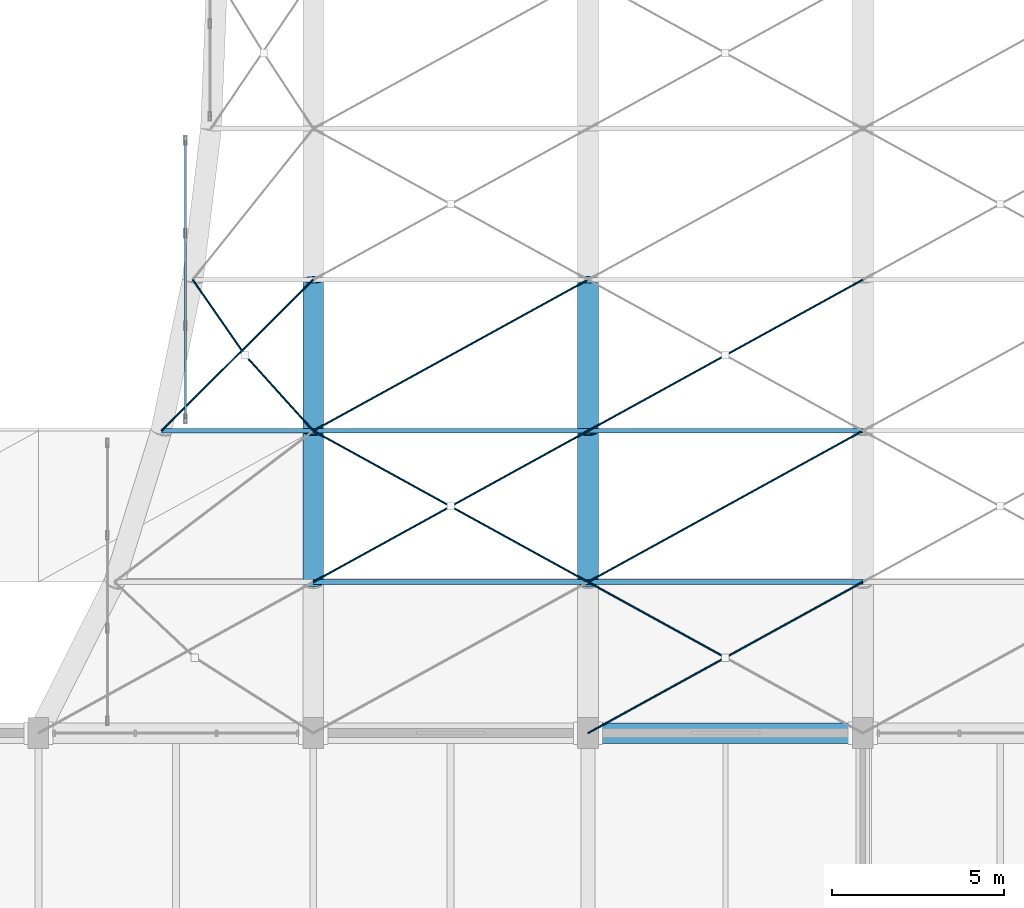
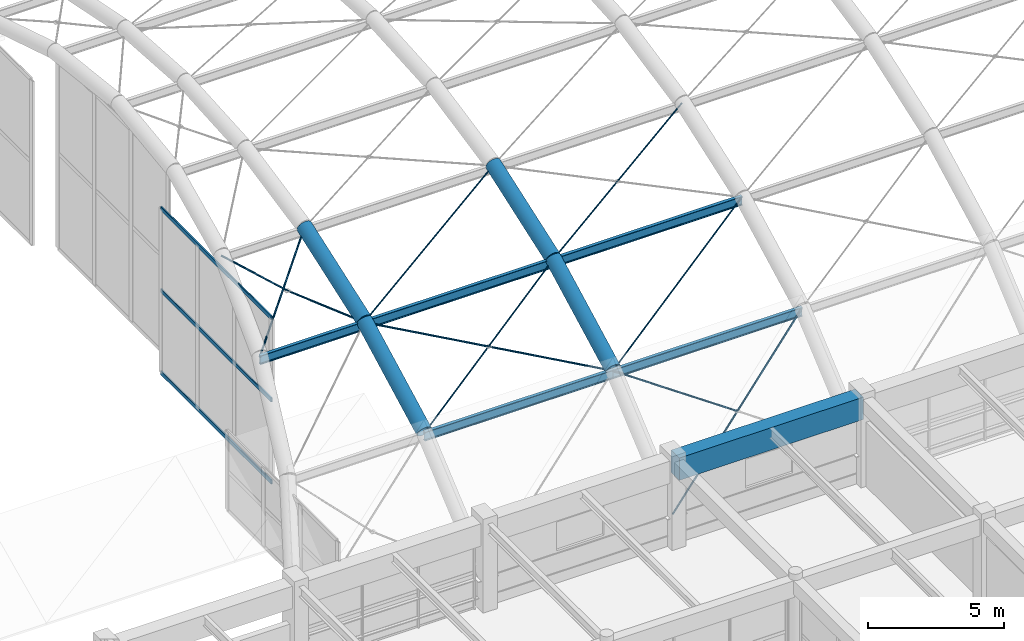
# One storey, part 36 of 126: 14 members, 10 beams, 1 element without a shape of its own.
"""IFC4 building model written with IfcOpenShell, lengths in metres."""

from ifc_helpers import new_model, si_unit, direction, frame, origin, origin_2d, place, context, subcontext, project, spatial, rectangle, hollow_rectangle, circle, hollow_circle, i_section, extrude, material, material_profile, profile_set, type_object, element, aggregate, save


model = new_model("IFC4")

# Units and contexts
model_context = context("Model", 3, precision=1e-05, world=origin(), true_north=direction((0.0, 1.0)))
body_context = subcontext(model_context, "Body", "Model", "MODEL_VIEW")
ifc_project = project(units=[si_unit("LENGTHUNIT", "METRE"), si_unit("AREAUNIT", "SQUARE_METRE"), si_unit("VOLUMEUNIT", "CUBIC_METRE"), si_unit("PLANEANGLEUNIT", "RADIAN"), si_unit("MASSUNIT", "GRAM", prefix="KILO")], contexts=[model_context])

# Site, building, storey
site_placement = place(None, origin())
site = spatial("IfcSite", under=ifc_project, at=site_placement, CompositionType="ELEMENT")
building_placement = place(site_placement, origin())
building = spatial("IfcBuilding", under=site, at=building_placement, Name="Varnabhumi Central Station", CompositionType="ELEMENT")
storey_placement = place(building_placement, frame((0.0, 0.0, 16.199951171875)))
storey = spatial("IfcBuildingStorey", under=building, at=storey_placement, Name="L03", CompositionType="ELEMENT", Elevation=16.199951171875)

# Beams
ifc_material_1 = material(Name="Structural steel E450", Category="steel")
ifc_material_profile_1 = material_profile(ifc_material_1, hollow_circle(Radius=0.304931640625, WallThickness=0.02490234375, at=origin_2d()), Name="Structural steel E450", Category="steel")
ifc_profile_set_1 = profile_set([ifc_material_profile_1], Name="Structural steel E450")
beam_type_1 = type_object("IfcBeamType", Name="BM-ARCH-CHS610", PredefinedType="BEAM", material=ifc_profile_set_1)
beam_1_placement = place(storey_placement, frame((136.0, 40.39990234375, 5.0966796875), z_axis=(0.0, 0.88562177592, 0.464407224337), x_axis=(-1.0, 0.0, 0.0)))
element("IfcBeam", 1, at=beam_1_placement, inside=storey, type_object=beam_type_1, Name="Platform Train-Shed Vault Arch Rib 2 Seg 2", PredefinedType="BEAM", context=body_context, shape_type="SweptSolid", body=[
    extrude(hollow_circle(Radius=0.304931640625, WallThickness=0.02490234375, at=origin_2d()), origin(), (0.0, 0.0, 1.0), 4.968505859375),
])
beam_2_placement = place(storey_placement, frame((136.0, 44.800048828125, 7.404052734375), z_axis=(0.0, 0.943395522007, 0.331669849486), x_axis=(-1.0, 0.0, 0.0)))
element("IfcBeam", 2, at=beam_2_placement, inside=storey, type_object=beam_type_1, Name="Platform Train-Shed Vault Arch Rib 2 Seg 3", PredefinedType="BEAM", context=body_context, shape_type="SweptSolid", body=[
    extrude(hollow_circle(Radius=0.304931640625, WallThickness=0.02490234375, at=origin_2d()), origin(), (0.0, 0.0, 1.0), 4.663818359375),
])
beam_3_placement = place(storey_placement, frame((144.0, 40.39990234375, 5.0966796875), z_axis=(0.0, 0.88562177592, 0.464407224337), x_axis=(-1.0, 0.0, 0.0)))
element("IfcBeam", 3, at=beam_3_placement, inside=storey, type_object=beam_type_1, Name="Platform Train-Shed Vault Arch Rib 3 Seg 2", PredefinedType="BEAM", context=body_context, shape_type="SweptSolid", body=[
    extrude(hollow_circle(Radius=0.304931640625, WallThickness=0.02490234375, at=origin_2d()), origin(), (0.0, 0.0, 1.0), 4.968505859375),
])
beam_4_placement = place(storey_placement, frame((144.0, 44.800048828125, 7.404052734375), z_axis=(0.0, 0.943395522007, 0.331669849486), x_axis=(-1.0, 0.0, 0.0)))
element("IfcBeam", 4, at=beam_4_placement, inside=storey, type_object=beam_type_1, Name="Platform Train-Shed Vault Arch Rib 3 Seg 3", PredefinedType="BEAM", context=body_context, shape_type="SweptSolid", body=[
    extrude(hollow_circle(Radius=0.304931640625, WallThickness=0.02490234375, at=origin_2d()), origin(), (0.0, 0.0, 1.0), 4.663818359375),
])
ifc_material_2 = material(Name="Structural steel E350", Category="steel")
ifc_material_profile_2 = material_profile(ifc_material_2, i_section(OverallWidth=0.139892578125, OverallDepth=0.39990234375, WebThickness=0.0087890625, FlangeThickness=0.01611328125, FilletRadius=0.013916015625, at=origin_2d()), Name="Structural steel E350", Category="steel")
ifc_profile_set_2 = profile_set([ifc_material_profile_2], Name="Structural steel E350")
beam_type_2 = type_object("IfcBeamType", Name="BM-PUR-ISMB400", PredefinedType="LINTEL", material=ifc_profile_set_2)
beam_5_placement = place(storey_placement, frame((131.577392578125, 44.800048828125, 7.203857421875), z_axis=(1.0, 0.0, 0.0), x_axis=(0.0, 1.0, 0.0)))
element("IfcBeam", 5, at=beam_5_placement, inside=storey, type_object=beam_type_2, Name="Platform Train-Shed Vault Purlin B1-L2", PredefinedType="LINTEL", context=body_context, shape_type="SweptSolid", body=[
    extrude(i_section(OverallWidth=0.139892578125, OverallDepth=0.39990234375, WebThickness=0.0087890625, FlangeThickness=0.01611328125, FilletRadius=0.013916015625, at=origin_2d()), origin(), (0.0, 0.0, 1.0), 4.422607421875),
])
for number, where, z_axis, x_axis, name in (
    (6, (136.0, 40.39990234375, 4.896728515625), (1.0, 0.0, 0.0), (0.0, 1.0, 0.0), "Platform Train-Shed Vault Purlin B2-L1"),
    (7, (136.0, 44.800048828125, 7.203857421875), (1.0, 0.0, 0.0), (0.0, 1.0, 0.0), "Platform Train-Shed Vault Purlin B2-L2"),
    (8, (144.0, 40.39990234375, 4.896728515625), (1.0, 0.0, 0.0), (0.0, 1.0, 0.0), "Platform Train-Shed Vault Purlin B3-L1"),
    (9, (144.0, 44.800048828125, 7.203857421875), (1.0, 0.0, 0.0), (0.0, 1.0, 0.0), "Platform Train-Shed Vault Purlin B3-L2"),
):
    element("IfcBeam", number, at=place(storey_placement, frame(where, z_axis=z_axis, x_axis=x_axis)), inside=storey, type_object=beam_type_2, Name=name, PredefinedType="LINTEL", context=body_context, shape_type="SweptSolid", body=[
        extrude(i_section(OverallWidth=0.139892578125, OverallDepth=0.39990234375, WebThickness=0.0087890625, FlangeThickness=0.01611328125, FilletRadius=0.013916015625, at=origin_2d()), origin(), (0.0, 0.0, 1.0), 8.0),
    ])
ifc_material_3 = material(Name="Concrete M50", Category="concrete")
ifc_material_profile_3 = material_profile(ifc_material_3, rectangle(XDim=0.60009765625, YDim=1.0, at=origin_2d()), Name="Concrete M50", Category="concrete")
ifc_profile_set_3 = profile_set([ifc_material_profile_3], Name="Concrete M50")
beam_type_3 = type_object("IfcBeamType", Name="BM-RC-600x1000", PredefinedType="BEAM", material=ifc_profile_set_3)
beam_6_placement = place(storey_placement, frame((144.10009765625, 36.0, 3.420166015625), z_axis=(1.0, 0.0, 0.0), x_axis=(0.0, 1.0, 0.0)))
element("IfcBeam", 10, at=beam_6_placement, inside=storey, type_object=beam_type_3, Name="Beam L03-E:19-20", PredefinedType="BEAM", context=body_context, shape_type="SweptSolid", body=[
    extrude(rectangle(XDim=0.60009765625, YDim=1.0, at=origin_2d()), origin(), (0.0, 0.0, 1.0), 7.7998046875),
])

# Curtain wall, members
ifc_material_4 = material(Name="Anodised aluminium 6063-T6", Category="aluminium")
curtain_wall_type = type_object("IfcCurtainWallType", Name="CW-VAULT-ARCH-V5", PredefinedType="NOTDEFINED", material=ifc_material_4)
curtain_wall_placement = place(storey_placement, origin())
curtain_wall = element("IfcCurtainWall", 11, at=curtain_wall_placement, inside=storey, type_object=curtain_wall_type, Name="Curtain Wall CW-V52", PredefinedType="NOTDEFINED")
ifc_material_profile_4 = material_profile(ifc_material_4, hollow_rectangle(XDim=0.06494140625, YDim=0.179931640625, WallThickness=0.00390625, InnerFilletRadius=0.001953125, OuterFilletRadius=0.006103515625, at=origin_2d()), Name="Anodised aluminium 6063-T6", Category="aluminium")
ifc_profile_set_4 = profile_set([ifc_material_profile_4], Name="Anodised aluminium 6063-T6")
member_type_1 = type_object("IfcMemberType", Name="CW-TR-180", PredefinedType="USERDEFINED", material=ifc_profile_set_4)
member_1_placement = place(storey_placement, frame((132.284912109375, 45.14990234375, 1.25), z_axis=(0.0, 1.0, 0.0), x_axis=(-1.0, 0.0, 0.0)))
member_1 = element("IfcMember", 12, at=member_1_placement, type_object=member_type_1, Name="Curtain Wall Transom CW-V52-T1", ObjectType="TRANSOM", PredefinedType="USERDEFINED", context=body_context, shape_type="SweptSolid", body=[
    extrude(hollow_rectangle(XDim=0.06494140625, YDim=0.179931640625, WallThickness=0.00390625, InnerFilletRadius=0.001953125, OuterFilletRadius=0.006103515625, at=origin_2d()), origin(), (0.0, 0.0, 1.0), 8.10009765625),
])
member_2_placement = place(storey_placement, frame((132.284912109375, 45.14990234375, 4.925537109375), z_axis=(0.0, 1.0, 0.0), x_axis=(-1.0, 0.0, 0.0)))
member_2 = element("IfcMember", 13, at=member_2_placement, type_object=member_type_1, Name="Curtain Wall Transom CW-V52-T2", ObjectType="TRANSOM", PredefinedType="USERDEFINED", context=body_context, shape_type="SweptSolid", body=[
    extrude(hollow_rectangle(XDim=0.06494140625, YDim=0.179931640625, WallThickness=0.00390625, InnerFilletRadius=0.001953125, OuterFilletRadius=0.006103515625, at=origin_2d()), origin(), (0.0, 0.0, 1.0), 8.10009765625),
])
member_3_placement = place(storey_placement, frame((132.284912109375, 45.14990234375, 8.600830078125), z_axis=(0.0, 1.0, 0.0), x_axis=(-1.0, 0.0, 0.0)))
member_3 = element("IfcMember", 14, at=member_3_placement, type_object=member_type_1, Name="Curtain Wall Transom CW-V52-T3", ObjectType="TRANSOM", PredefinedType="USERDEFINED", context=body_context, shape_type="SweptSolid", body=[
    extrude(hollow_rectangle(XDim=0.06494140625, YDim=0.179931640625, WallThickness=0.00390625, InnerFilletRadius=0.001953125, OuterFilletRadius=0.006103515625, at=origin_2d()), origin(), (0.0, 0.0, 1.0), 8.10009765625),
])
aggregate(curtain_wall, [member_1, member_2, member_3])

# Members
ifc_material_5 = material(Name="Spiral-strand steel S1570", Category="steel")
ifc_material_profile_5 = material_profile(ifc_material_5, circle(Radius=0.030029296875, at=origin_2d()), Name="Spiral-strand steel S1570", Category="steel")
ifc_profile_set_5 = profile_set([ifc_material_profile_5], Name="Spiral-strand steel S1570")
member_type_2 = type_object("IfcMemberType", Name="MBR-CABLE-D60", PredefinedType="USERDEFINED", material=ifc_profile_set_5)
member_4_placement = place(storey_placement, frame((131.577392578125, 44.800048828125, 7.323974609375), z_axis=(0.688086967665, 0.684554420715, 0.240669005086), x_axis=(-0.70528467831, 0.708924200843, 0.0)))
element("IfcMember", 15, at=member_4_placement, inside=storey, type_object=member_type_2, Name="Platform Train-Shed Vault Cable-Net Tie B1-P3A", ObjectType="TENSION CABLE", PredefinedType="USERDEFINED", context=body_context, shape_type="SweptSolid", body=[
    extrude(circle(Radius=0.030029296875, at=origin_2d()), origin(), (0.0, 0.0, 1.0), 6.427490234375),
])
member_5_placement = place(storey_placement, frame((132.491455078125, 49.199951171875, 8.870849609375), z_axis=(0.547475143436, -0.789454075453, -0.277548608482), x_axis=(0.821738885077, 0.569864198518, 0.0)))
element("IfcMember", 16, at=member_5_placement, inside=storey, type_object=member_type_2, Name="Platform Train-Shed Vault Cable-Net Split Tie B1-P3B1", ObjectType="TENSION CABLE", PredefinedType="USERDEFINED", context=body_context, shape_type="SweptSolid", body=[
    extrude(circle(Radius=0.030029296875, at=origin_2d()), origin(), (0.0, 0.0, 1.0), 2.78662109375),
])
member_6_placement = place(storey_placement, frame((134.01708984375, 47.0, 8.097412109375), z_axis=(0.647791159206, -0.718695658163, -0.252672050279), x_axis=(0.742797981538, 0.669515614921, 0.0)))
element("IfcMember", 17, at=member_6_placement, inside=storey, type_object=member_type_2, Name="Platform Train-Shed Vault Cable-Net Split Tie B1-P3B2", ObjectType="TENSION CABLE", PredefinedType="USERDEFINED", context=body_context, shape_type="SweptSolid", body=[
    extrude(circle(Radius=0.030029296875, at=origin_2d()), origin(), (0.0, 0.0, 1.0), 3.06103515625),
])
member_7_placement = place(storey_placement, frame((136.0, 40.39990234375, 5.0166015625), z_axis=(0.849501727798, 0.46724150513, 0.245014673749), x_axis=(-0.481931067474, 0.876209133828, 0.0)))
element("IfcMember", 18, at=member_7_placement, inside=storey, type_object=member_type_2, Name="Platform Train-Shed Vault Cable-Net Tie B2-P2A", ObjectType="TENSION CABLE", PredefinedType="USERDEFINED", context=body_context, shape_type="SweptSolid", body=[
    extrude(circle(Radius=0.030029296875, at=origin_2d()), origin(), (0.0, 0.0, 1.0), 9.417236328125),
])
member_8_placement = place(storey_placement, frame((136.0, 44.800048828125, 7.323974609375), z_axis=(0.849517413756, -0.46722420748, -0.244993272705), x_axis=(0.481910537812, 0.876220425204, 0.0)))
element("IfcMember", 19, at=member_8_placement, inside=storey, type_object=member_type_2, Name="Platform Train-Shed Vault Cable-Net Split Tie B2-P2B1", ObjectType="TENSION CABLE", PredefinedType="USERDEFINED", context=body_context, shape_type="SweptSolid", body=[
    extrude(circle(Radius=0.030029296875, at=origin_2d()), origin(), (0.0, 0.0, 1.0), 4.70849609375),
])
member_9_placement = place(storey_placement, frame((140.0, 42.60009765625, 6.17041015625), z_axis=(0.849486041567, -0.467258801672, -0.245036073758), x_axis=(0.481951596342, 0.876197842262, 0.0)))
element("IfcMember", 20, at=member_9_placement, inside=storey, type_object=member_type_2, Name="Platform Train-Shed Vault Cable-Net Split Tie B2-P2B2", ObjectType="TENSION CABLE", PredefinedType="USERDEFINED", context=body_context, shape_type="SweptSolid", body=[
    extrude(circle(Radius=0.030029296875, at=origin_2d()), origin(), (0.0, 0.0, 1.0), 4.708740234375),
])
member_10_placement = place(storey_placement, frame((136.0, 44.800048828125, 7.323974609375), z_axis=(0.863908907652, 0.475139353446, 0.167044886441), x_axis=(-0.481910537812, 0.876220425204, 0.0)))
element("IfcMember", 21, at=member_10_placement, inside=storey, type_object=member_type_2, Name="Platform Train-Shed Vault Cable-Net Tie B2-P3A", ObjectType="TENSION CABLE", PredefinedType="USERDEFINED", context=body_context, shape_type="SweptSolid", body=[
    extrude(circle(Radius=0.030029296875, at=origin_2d()), origin(), (0.0, 0.0, 1.0), 9.26025390625),
])
member_11_placement = place(storey_placement, frame((144.0, 36.0, 1.27001953125), z_axis=(0.810623868746, 0.4458332325, 0.379633602593), x_axis=(-0.481910537812, 0.876220425204, 0.0)))
element("IfcMember", 22, at=member_11_placement, inside=storey, type_object=member_type_2, Name="Platform Train-Shed Vault Cable-Net Tie B3-P1A", ObjectType="TENSION CABLE", PredefinedType="USERDEFINED", context=body_context, shape_type="SweptSolid", body=[
    extrude(circle(Radius=0.030029296875, at=origin_2d()), origin(), (0.0, 0.0, 1.0), 9.868896484375),
])
member_12_placement = place(storey_placement, frame((144.0, 40.39990234375, 5.0166015625), z_axis=(0.810623868746, -0.4458332325, -0.379633602593), x_axis=(0.481910537812, 0.876220425204, 0.0)))
element("IfcMember", 23, at=member_12_placement, inside=storey, type_object=member_type_2, Name="Platform Train-Shed Vault Cable-Net Split Tie B3-P1B1", ObjectType="TENSION CABLE", PredefinedType="USERDEFINED", context=body_context, shape_type="SweptSolid", body=[
    extrude(circle(Radius=0.030029296875, at=origin_2d()), origin(), (0.0, 0.0, 1.0), 4.9345703125),
])
member_13_placement = place(storey_placement, frame((144.0, 40.39990234375, 5.0166015625), z_axis=(0.849501727798, 0.46724150513, 0.245014673749), x_axis=(-0.481931067474, 0.876209133828, 0.0)))
element("IfcMember", 24, at=member_13_placement, inside=storey, type_object=member_type_2, Name="Platform Train-Shed Vault Cable-Net Tie B3-P2A", ObjectType="TENSION CABLE", PredefinedType="USERDEFINED", context=body_context, shape_type="SweptSolid", body=[
    extrude(circle(Radius=0.030029296875, at=origin_2d()), origin(), (0.0, 0.0, 1.0), 9.417236328125),
])
member_14_placement = place(storey_placement, frame((144.0, 44.800048828125, 7.323974609375), z_axis=(0.863908907652, 0.475139353446, 0.167044886441), x_axis=(-0.481910537812, 0.876220425204, 0.0)))
element("IfcMember", 25, at=member_14_placement, inside=storey, type_object=member_type_2, Name="Platform Train-Shed Vault Cable-Net Tie B3-P3A", ObjectType="TENSION CABLE", PredefinedType="USERDEFINED", context=body_context, shape_type="SweptSolid", body=[
    extrude(circle(Radius=0.030029296875, at=origin_2d()), origin(), (0.0, 0.0, 1.0), 9.26025390625),
])

save(model, "model.ifc")
